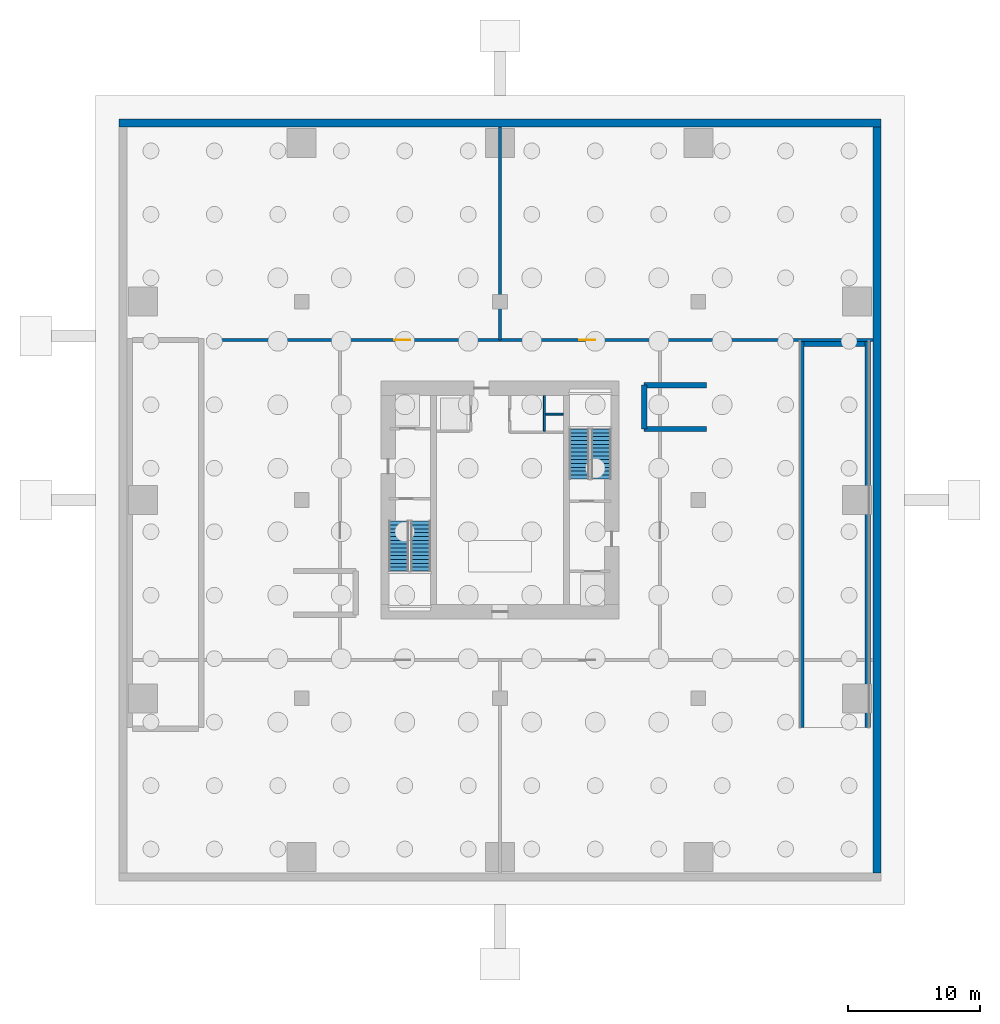
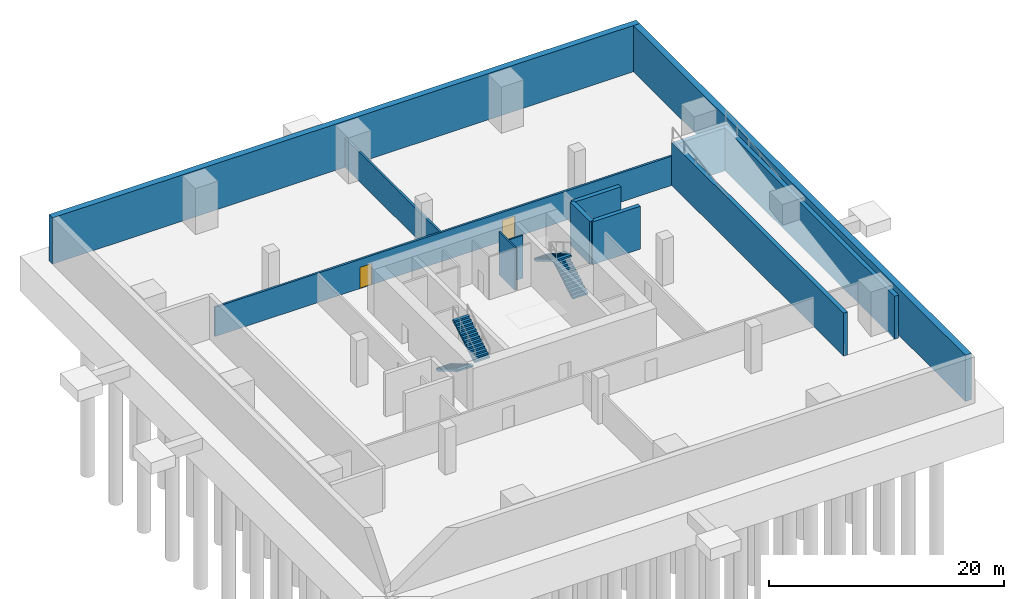
# One storey, part 3 of 6: 12 walls, 4 stair flights, 2 doors, 2 openings, 2 elements without a shape of their own.
"""IFC4 building model written with IfcOpenShell, lengths in metres."""

from ifc_helpers import new_model, si_unit, direction, frame, frame_2d, origin, place, context, subcontext, project, spatial, polyline, rectangle, outline, extrude, material, layer, layer_set, type_object, element, fill, aggregate, save


model = new_model("IFC4")

# Units and contexts
model_context = context("Model", 3, precision=1e-05, world=origin(), true_north=direction((0.0, 1.0)))
body_context = subcontext(model_context, "Body", "Model", "MODEL_VIEW")
ifc_project = project(units=[si_unit("LENGTHUNIT", "METRE"), si_unit("AREAUNIT", "SQUARE_METRE"), si_unit("VOLUMEUNIT", "CUBIC_METRE"), si_unit("PLANEANGLEUNIT", "RADIAN"), si_unit("MASSUNIT", "GRAM", prefix="KILO")], contexts=[model_context])

# Site, building, storey
site_placement = place(None, origin())
site = spatial("IfcSite", under=ifc_project, at=site_placement, CompositionType="ELEMENT")
building_placement = place(site_placement, origin())
building = spatial("IfcBuilding", under=site, at=building_placement, Name="Belovzor Exchange Tower", CompositionType="ELEMENT")
storey_placement = place(building_placement, frame((0.0, 0.0, -9.60009765625)))
storey = spatial("IfcBuildingStorey", under=building, at=storey_placement, Name="B02", CompositionType="ELEMENT", Elevation=-9.60009765625)

# Walls
ifc_material_1 = material(Name="Concrete C50/60", Category="concrete")
ifc_layer_1 = layer(ifc_material_1, 0.60009765625)
ifc_layer_set_1 = layer_set([ifc_layer_1], Name="Concrete C50/60")
wall_type_1 = type_object("IfcWallType", Name="Reinforced Concrete Basement Diaphragm Retaining Wall 600", PredefinedType="SOLIDWALL", material=ifc_layer_set_1)
wall_1_placement = place(storey_placement, frame((0.0, 57.300048828125, 0.0), z_axis=(0.0, 0.0, 1.0), x_axis=(1.0, 0.0, 0.0)))
element("IfcWall", 1, at=wall_1_placement, inside=storey, type_object=wall_type_1, Name="DW-060 Basement Diaphragm Wall B02 N", PredefinedType="SOLIDWALL", context=body_context, shape_type="SweptSolid", body=[
    extrude(rectangle(XDim=57.60009765625, YDim=0.60009765625, at=frame_2d((28.800048828125, 0.0))), origin(), (0.0, 0.0, 1.0), 4.800048828125),
])
wall_2_placement = place(storey_placement, frame((57.300048828125, 0.60009765625, 0.0), z_axis=(0.0, 0.0, 1.0), x_axis=(0.0, 1.0, 0.0)))
element("IfcWall", 2, at=wall_2_placement, inside=storey, type_object=wall_type_1, Name="DW-060 Basement Diaphragm Wall B02 E", PredefinedType="SOLIDWALL", context=body_context, shape_type="SweptSolid", body=[
    extrude(rectangle(XDim=56.39990234375, YDim=0.60009765625, at=frame_2d((28.199951171875, 0.0))), origin(), (0.0, 0.0, 1.0), 4.800048828125),
])

# Wall, openings, doors
ifc_material_2 = material(Name="Concrete C40/50", Category="concrete")
ifc_layer_2 = layer(ifc_material_2, 0.199951171875)
ifc_layer_set_2 = layer_set([ifc_layer_2], Name="Concrete C40/50")
wall_type_2 = type_object("IfcWallType", Name="Reinforced Concrete Compartment Wall 200", PredefinedType="PARTITIONING", material=ifc_layer_set_2)
wall_3_placement = place(storey_placement, frame((6.60009765625, 40.89990234375, 0.0), z_axis=(0.0, 0.0, 1.0), x_axis=(1.0, 0.0, 0.0)))
wall_3 = element("IfcWall", 3, at=wall_3_placement, inside=storey, type_object=wall_type_2, Name="W-C200 Partition Wall W-B02-CN", PredefinedType="PARTITIONING", context=body_context, shape_type="SweptSolid", body=[
    extrude(rectangle(XDim=50.39990234375, YDim=0.199951171875, at=frame_2d((25.199951171875, 0.0))), origin(), (0.0, 0.0, 1.0), 3.03515625),
])
opening_1_placement = place(wall_3_placement, frame((14.199951171875, 0.0, 0.0)))
opening_1 = element("IfcOpeningElement", 4, at=opening_1_placement, cuts=wall_3, Name="Opening D-FD90-120", PredefinedType="OPENING", context=body_context, shape_type="SweptSolid", body=[
    extrude(rectangle(XDim=1.199951171875, YDim=2.199951171875, at=frame_2d((0.60009765625, 1.10009765625))), frame((0.0, 0.10986328125, 0.0), z_axis=(0.0, -1.0, 0.0), x_axis=(1.0, 0.0, 0.0)), (0.0, 0.0, 1.0), 0.219970703125),
])
opening_2_placement = place(wall_3_placement, frame((28.199951171875, 0.0, 0.0)))
opening_2 = element("IfcOpeningElement", 5, at=opening_2_placement, cuts=wall_3, Name="Opening D-FD90-120", PredefinedType="OPENING", context=body_context, shape_type="SweptSolid", body=[
    extrude(rectangle(XDim=1.199951171875, YDim=2.199951171875, at=frame_2d((0.60009765625, 1.10009765625))), frame((0.0, 0.10986328125, 0.0), z_axis=(0.0, -1.0, 0.0), x_axis=(1.0, 0.0, 0.0)), (0.0, 0.0, 1.0), 0.219970703125),
])
ifc_material_3 = material(Name="Fire-Rated Galvanised Steel Leaf", Category="steel")
door_type = type_object("IfcDoorType", Name="Heavy Plant & Foyer Fire Door 1200x2200", OperationType="NOTDEFINED", PredefinedType="DOOR", material=ifc_material_3)
door_1_placement = place(opening_1_placement, origin())
door_1 = element("IfcDoor", 6, at=door_1_placement, inside=storey, type_object=door_type, Name="D-FD90-120 Heavy Plant & Foyer Fire Door 1200x2200", OperationType="SINGLE_SWING_LEFT", OverallHeight=2.199951171875, OverallWidth=1.199951171875, PredefinedType="DOOR", context=body_context, shape_type="SweptSolid", body=[
    extrude(rectangle(XDim=1.199951171875, YDim=2.199951171875, at=frame_2d((0.60009765625, 1.10009765625))), frame((0.0, 0.02490234375, 0.0), z_axis=(0.0, -1.0, 0.0), x_axis=(1.0, 0.0, 0.0)), (0.0, 0.0, 1.0), 0.050048828125),
])
fill(opening_1, door_1)
door_2_placement = place(opening_2_placement, origin())
door_2 = element("IfcDoor", 7, at=door_2_placement, inside=storey, type_object=door_type, Name="D-FD90-120 Heavy Plant & Foyer Fire Door 1200x2200", OperationType="SINGLE_SWING_RIGHT", OverallHeight=2.199951171875, OverallWidth=1.199951171875, PredefinedType="DOOR", context=body_context, shape_type="SweptSolid", body=[
    extrude(rectangle(XDim=1.199951171875, YDim=2.199951171875, at=frame_2d((0.60009765625, 1.10009765625))), frame((0.0, 0.02490234375, 0.0), z_axis=(0.0, -1.0, 0.0), x_axis=(1.0, 0.0, 0.0)), (0.0, 0.0, 1.0), 0.050048828125),
])
fill(opening_2, door_2)

# Walls
wall_4_placement = place(storey_placement, frame((28.800048828125, 40.89990234375, 0.0), z_axis=(0.0, 0.0, 1.0), x_axis=(0.0, 1.0, 0.0)))
element("IfcWall", 8, at=wall_4_placement, inside=storey, type_object=wall_type_2, Name="W-C200 Partition Wall W-B02-DIVN", PredefinedType="PARTITIONING", context=body_context, shape_type="SweptSolid", body=[
    extrude(rectangle(XDim=16.10009765625, YDim=0.199951171875, at=frame_2d((8.050048828125, 0.0))), origin(), (0.0, 0.0, 1.0), 3.03515625),
])
ifc_material_4 = material(Name="Concrete C50/60", Category="concrete")
ifc_layer_3 = layer(ifc_material_4, 0.39990234375)
ifc_layer_set_3 = layer_set([ifc_layer_3], Name="Concrete C50/60")
wall_type_3 = type_object("IfcWallType", Name="Reinforced Concrete Core Internal Web Wall 400", PredefinedType="SHEAR", material=ifc_layer_set_3)
for number, where, z_axis, x_axis, name in (
    (9, (51.60009765625, 11.60009765625, 0.0), (0.0, 0.0, 1.0), (0.0, 1.0, 0.0), "CW-W040 Vehicle Ramp Support Wall RWALL-B02-E1"),
    (10, (56.60009765625, 11.60009765625, 0.0), (0.0, 0.0, 1.0), (0.0, 1.0, 0.0), "CW-W040 Vehicle Ramp Support Wall RWALL-B02-E2"),
):
    element("IfcWall", number, at=place(storey_placement, frame(where, z_axis=z_axis, x_axis=x_axis)), inside=storey, type_object=wall_type_3, Name=name, PredefinedType="SHEAR", context=body_context, shape_type="SweptSolid", body=[
        extrude(rectangle(XDim=29.199951171875, YDim=0.39990234375, at=frame_2d((14.60009765625, 0.0))), origin(), (0.0, 0.0, 1.0), 4.4501953125),
    ])
wall_5_placement = place(storey_placement, frame((51.800048828125, 40.60009765625, 0.0), z_axis=(0.0, 0.0, 1.0), x_axis=(1.0, 0.0, 0.0)))
element("IfcWall", 11, at=wall_5_placement, inside=storey, type_object=wall_type_3, Name="CW-W040 Vehicle Ramp Support Wall RWALL-B02-EH", PredefinedType="SHEAR", context=body_context, shape_type="SweptSolid", body=[
    extrude(rectangle(XDim=4.599853515625, YDim=0.39990234375, at=frame_2d((2.2998046875, 0.0))), origin(), (0.0, 0.0, 1.0), 4.4501953125),
])
for number, where, z_axis, x_axis, name in (
    (12, (39.699951171875, 34.1650390625, 0.0), (0.0, 0.0, 1.0), (1.0, 0.0, 0.0), "CW-W040 Vehicle Ramp Support Wall SWALL-B02-ST4S"),
    (13, (39.699951171875, 37.485107421875, 0.0), (0.0, 0.0, 1.0), (1.0, 0.0, 0.0), "CW-W040 Vehicle Ramp Support Wall SWALL-B02-ST4N"),
):
    element("IfcWall", number, at=place(storey_placement, frame(where, z_axis=z_axis, x_axis=x_axis)), inside=storey, type_object=wall_type_3, Name=name, PredefinedType="SHEAR", context=body_context, shape_type="SweptSolid", body=[
        extrude(rectangle(XDim=4.699951171875, YDim=0.39990234375, at=frame_2d((2.35009765625, 0.0))), origin(), (0.0, 0.0, 1.0), 4.447998046875),
    ])
wall_6_placement = place(storey_placement, frame((39.715087890625, 34.1650390625, 0.0), z_axis=(0.0, 0.0, 1.0), x_axis=(0.0, 1.0, 0.0)))
element("IfcWall", 14, at=wall_6_placement, inside=storey, type_object=wall_type_3, Name="CW-W040 Vehicle Ramp Support Wall SWALL-B02-ST4W", PredefinedType="SHEAR", context=body_context, shape_type="SweptSolid", body=[
    extrude(rectangle(XDim=3.320068359375, YDim=0.39990234375, at=frame_2d((1.66015625, 0.0))), origin(), (0.0, 0.0, 1.0), 4.447998046875),
])
ifc_material_5 = material(Name="Concrete C50/60", Category="concrete")
ifc_layer_4 = layer(ifc_material_5, 0.14990234375)
ifc_layer_set_4 = layer_set([ifc_layer_4], Name="Concrete C50/60")
wall_type_4 = type_object("IfcWallType", Name="Reinforced Concrete Core Riser Shear Wall 150", PredefinedType="SHEAR", material=ifc_layer_set_4)
wall_7_placement = place(storey_placement, frame((32.14990234375, 34.0, 0.0), z_axis=(0.0, 0.0, 1.0), x_axis=(0.0, 1.0, 0.0)))
element("IfcWall", 15, at=wall_7_placement, inside=storey, type_object=wall_type_4, Name="W-C150S Core Shaft Wall W-RSR-B02-E", PredefinedType="SHEAR", context=body_context, shape_type="SweptSolid", body=[
    extrude(rectangle(XDim=2.699951171875, YDim=0.14990234375, at=frame_2d((1.35009765625, 0.0))), origin(), (0.0, 0.0, 1.0), 4.4501953125),
])
wall_8_placement = place(storey_placement, frame((32.25, 35.300048828125, 0.0), z_axis=(0.0, 0.0, 1.0), x_axis=(1.0, 0.0, 0.0)))
element("IfcWall", 16, at=wall_8_placement, inside=storey, type_object=wall_type_4, Name="W-C150S Core Shaft Wall W-RSR-B02-M", PredefinedType="SHEAR", context=body_context, shape_type="SweptSolid", body=[
    extrude(rectangle(XDim=1.330078125, YDim=0.14990234375, at=frame_2d((0.6650390625, 0.0))), origin(), (0.0, 0.0, 1.0), 4.4501953125),
])

# Stair, stair flights
ifc_material_6 = material(Name="Concrete C40/50", Category="concrete")
stair_type = type_object("IfcStairType", Name="Reinforced Concrete Dogleg Escape Stair 1350", PredefinedType="HALF_TURN_STAIR", material=ifc_material_6)
stair_1_placement = place(storey_placement, origin())
stair_1 = element("IfcStair", 17, at=stair_1_placement, inside=storey, type_object=stair_type, Name="B02 ST-1", PredefinedType="HALF_TURN_STAIR")
ifc_material_7 = material(Name="Concrete C40/50", Category="concrete")
stair_flight_type = type_object("IfcStairFlightType", Name="Reinforced Concrete Stair Flight 1350", PredefinedType="STRAIGHT", material=ifc_material_7)
stair_flight_1_placement = place(storey_placement, frame((21.14990234375, 27.199951171875, 0.0), z_axis=(0.0, 0.0, 1.0), x_axis=(0.0, -1.0, 0.0)))
stair_flight_1 = element("IfcStairFlight", 18, at=stair_flight_1_placement, type_object=stair_flight_type, Name="ST-1 flight 1", NumberOfRisers=14, NumberOfTreads=13, PredefinedType="STRAIGHT", RiserHeight=0.171428571, TreadLength=0.29, context=body_context, shape_type="SweptSolid", body=[
    extrude(outline(polyline([(0.0, 0.0), (0.0, 0.17138671875), (0.2900390625, 0.17138671875), (0.2900390625, 0.3427734375), (0.580078125, 0.3427734375), (0.580078125, 0.514404296875), (0.8701171875, 0.514404296875), (0.8701171875, 0.685791015625), (1.159912109375, 0.685791015625), (1.159912109375, 0.857177734375), (1.449951171875, 0.857177734375), (1.449951171875, 1.028564453125), (1.739990234375, 1.028564453125), (1.739990234375, 1.199951171875), (2.030029296875, 1.199951171875), (2.030029296875, 1.371337890625), (2.320068359375, 1.371337890625), (2.320068359375, 1.54296875), (2.610107421875, 1.54296875), (2.610107421875, 1.71435546875), (2.89990234375, 1.71435546875), (2.89990234375, 1.8857421875), (3.18994140625, 1.8857421875), (3.18994140625, 2.05712890625), (3.47998046875, 2.05712890625), (3.47998046875, 2.228515625), (3.77001953125, 2.228515625), (3.77001953125, 2.39990234375), (3.77001953125, 2.054443359375), (0.294677734375, 0.0), (0.0, 0.0)])), frame((0.0, 0.75, 0.0), z_axis=(0.0, -1.0, 0.0), x_axis=(1.0, 0.0, 0.0)), (0.0, 0.0, 1.0), 1.5),
])
stair_flight_2_placement = place(storey_placement, frame((22.800048828125, 23.429931640625, 2.400146484375), z_axis=(0.0, 0.0, 1.0), x_axis=(0.0, 1.0, 0.0)))
stair_flight_2 = element("IfcStairFlight", 19, at=stair_flight_2_placement, type_object=stair_flight_type, Name="ST-1 flight 2", NumberOfRisers=14, NumberOfTreads=13, PredefinedType="STRAIGHT", RiserHeight=0.171428571, TreadLength=0.29, context=body_context, shape_type="SweptSolid", body=[
    extrude(outline(polyline([(0.0, 0.0), (0.0, 0.17138671875), (0.2900390625, 0.17138671875), (0.2900390625, 0.3427734375), (0.580078125, 0.3427734375), (0.580078125, 0.514404296875), (0.8701171875, 0.514404296875), (0.8701171875, 0.685791015625), (1.159912109375, 0.685791015625), (1.159912109375, 0.857177734375), (1.449951171875, 0.857177734375), (1.449951171875, 1.028564453125), (1.739990234375, 1.028564453125), (1.739990234375, 1.199951171875), (2.030029296875, 1.199951171875), (2.030029296875, 1.371337890625), (2.320068359375, 1.371337890625), (2.320068359375, 1.54296875), (2.610107421875, 1.54296875), (2.610107421875, 1.71435546875), (2.89990234375, 1.71435546875), (2.89990234375, 1.8857421875), (3.18994140625, 1.8857421875), (3.18994140625, 2.05712890625), (3.47998046875, 2.05712890625), (3.47998046875, 2.228515625), (3.77001953125, 2.228515625), (3.77001953125, 2.39990234375), (3.77001953125, 2.054443359375), (0.294677734375, 0.0), (0.0, 0.0)])), frame((0.0, 0.75, 0.0), z_axis=(0.0, -1.0, 0.0), x_axis=(1.0, 0.0, 0.0)), (0.0, 0.0, 1.0), 1.5),
])
aggregate(stair_1, [stair_flight_1, stair_flight_2])

stair_2_placement = place(storey_placement, origin())
stair_2 = element("IfcStair", 20, at=stair_2_placement, inside=storey, type_object=stair_type, Name="B02 ST-2", PredefinedType="HALF_TURN_STAIR")
stair_flight_3_placement = place(storey_placement, frame((36.449951171875, 30.39990234375, 0.0), z_axis=(0.0, 0.0, 1.0), x_axis=(0.0, 1.0, 0.0)))
stair_flight_3 = element("IfcStairFlight", 21, at=stair_flight_3_placement, type_object=stair_flight_type, Name="ST-2 flight 1", NumberOfRisers=14, NumberOfTreads=13, PredefinedType="STRAIGHT", RiserHeight=0.171428571, TreadLength=0.29, context=body_context, shape_type="SweptSolid", body=[
    extrude(outline(polyline([(0.0, 0.0), (0.0, 0.17138671875), (0.2900390625, 0.17138671875), (0.2900390625, 0.3427734375), (0.580078125, 0.3427734375), (0.580078125, 0.514404296875), (0.8701171875, 0.514404296875), (0.8701171875, 0.685791015625), (1.159912109375, 0.685791015625), (1.159912109375, 0.857177734375), (1.449951171875, 0.857177734375), (1.449951171875, 1.028564453125), (1.739990234375, 1.028564453125), (1.739990234375, 1.199951171875), (2.030029296875, 1.199951171875), (2.030029296875, 1.371337890625), (2.320068359375, 1.371337890625), (2.320068359375, 1.54296875), (2.610107421875, 1.54296875), (2.610107421875, 1.71435546875), (2.89990234375, 1.71435546875), (2.89990234375, 1.8857421875), (3.18994140625, 1.8857421875), (3.18994140625, 2.05712890625), (3.47998046875, 2.05712890625), (3.47998046875, 2.228515625), (3.77001953125, 2.228515625), (3.77001953125, 2.39990234375), (3.77001953125, 2.054443359375), (0.294677734375, 0.0), (0.0, 0.0)])), frame((0.0, 0.75, 0.0), z_axis=(0.0, -1.0, 0.0), x_axis=(1.0, 0.0, 0.0)), (0.0, 0.0, 1.0), 1.5),
])
stair_flight_4_placement = place(storey_placement, frame((34.800048828125, 34.169921875, 2.400146484375), z_axis=(0.0, 0.0, 1.0), x_axis=(0.0, -1.0, 0.0)))
stair_flight_4 = element("IfcStairFlight", 22, at=stair_flight_4_placement, type_object=stair_flight_type, Name="ST-2 flight 2", NumberOfRisers=14, NumberOfTreads=13, PredefinedType="STRAIGHT", RiserHeight=0.171428571, TreadLength=0.29, context=body_context, shape_type="SweptSolid", body=[
    extrude(outline(polyline([(0.0, 0.0), (0.0, 0.17138671875), (0.2900390625, 0.17138671875), (0.2900390625, 0.3427734375), (0.580078125, 0.3427734375), (0.580078125, 0.514404296875), (0.8701171875, 0.514404296875), (0.8701171875, 0.685791015625), (1.159912109375, 0.685791015625), (1.159912109375, 0.857177734375), (1.449951171875, 0.857177734375), (1.449951171875, 1.028564453125), (1.739990234375, 1.028564453125), (1.739990234375, 1.199951171875), (2.030029296875, 1.199951171875), (2.030029296875, 1.371337890625), (2.320068359375, 1.371337890625), (2.320068359375, 1.54296875), (2.610107421875, 1.54296875), (2.610107421875, 1.71435546875), (2.89990234375, 1.71435546875), (2.89990234375, 1.8857421875), (3.18994140625, 1.8857421875), (3.18994140625, 2.05712890625), (3.47998046875, 2.05712890625), (3.47998046875, 2.228515625), (3.77001953125, 2.228515625), (3.77001953125, 2.39990234375), (3.77001953125, 2.054443359375), (0.294677734375, 0.0), (0.0, 0.0)])), frame((0.0, 0.75, 0.0), z_axis=(0.0, -1.0, 0.0), x_axis=(1.0, 0.0, 0.0)), (0.0, 0.0, 1.0), 1.5),
])
aggregate(stair_2, [stair_flight_3, stair_flight_4])

save(model, "model.ifc")
